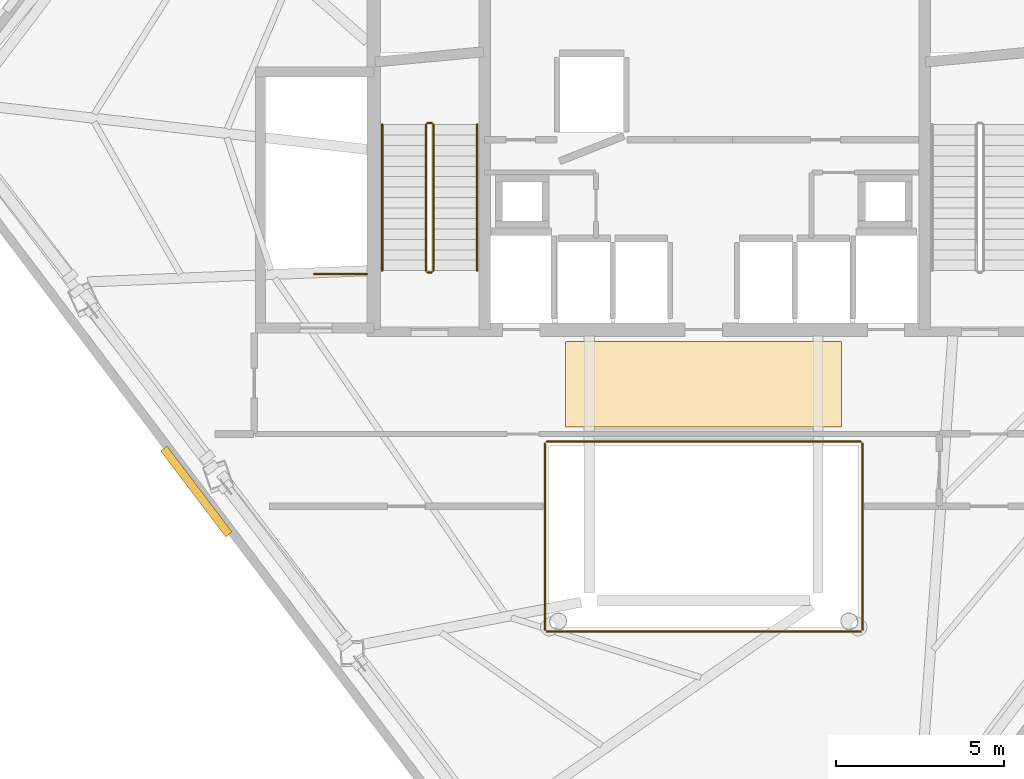
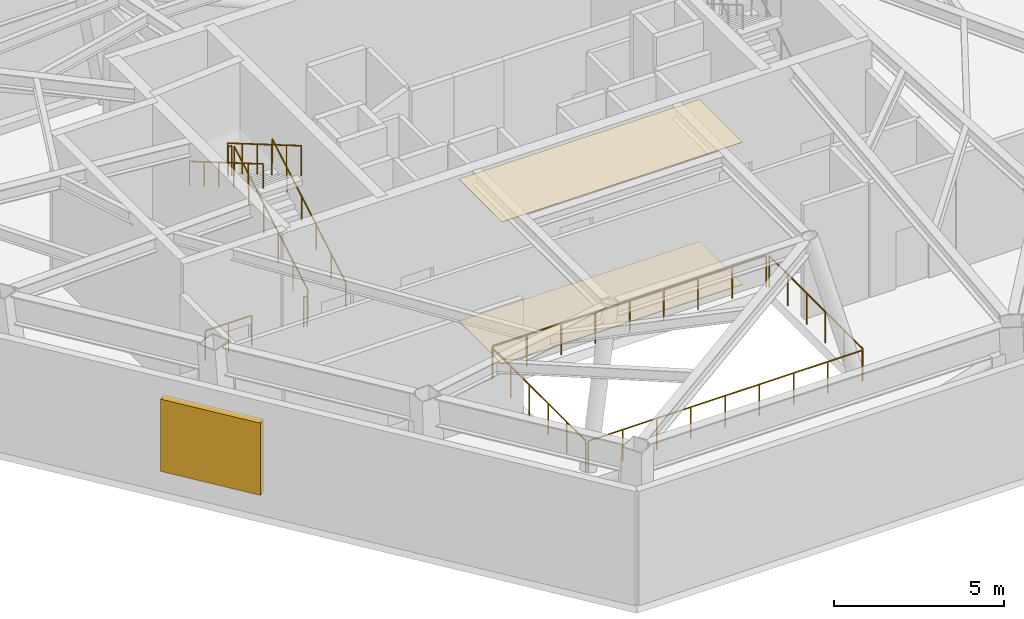
# One storey, part 8 of 10: 11 railings, 2 coverings, 1 shading device.
"""IFC4 building model written with IfcOpenShell, lengths in metres."""

from ifc_helpers import new_model, si_unit, direction, frame, origin, origin_2d, place, context, subcontext, project, spatial, polyline, rectangle, circle, outline, extrude, material, layer, layer_set, type_object, element, save


model = new_model("IFC4")

# Units and contexts
model_context = context("Model", 3, precision=1e-05, world=origin(), true_north=direction((0.0, 1.0)))
body_context = subcontext(model_context, "Body", "Model", "MODEL_VIEW")
ifc_project = project(units=[si_unit("LENGTHUNIT", "METRE"), si_unit("AREAUNIT", "SQUARE_METRE"), si_unit("VOLUMEUNIT", "CUBIC_METRE"), si_unit("PLANEANGLEUNIT", "RADIAN"), si_unit("MASSUNIT", "GRAM", prefix="KILO")], contexts=[model_context])

# Site, building, storey
site_placement = place(None, origin())
site = spatial("IfcSite", under=ifc_project, at=site_placement, CompositionType="ELEMENT")
building_placement = place(site_placement, origin())
building = spatial("IfcBuilding", under=site, at=building_placement, Name="Zarrinselat Tower", CompositionType="ELEMENT")
storey_placement = place(building_placement, frame((0.0, 0.0, 194.47998046875)))
storey = spatial("IfcBuildingStorey", under=building, at=storey_placement, Name="L48", CompositionType="ELEMENT", Elevation=194.47998046875)

# Coverings
ifc_material_1 = material(Name="Fire-Rated Gypsum Board Partition")
ifc_layer_1 = layer(ifc_material_1, 0.014892578125)
ifc_layer_set_1 = layer_set([ifc_layer_1], Name="Fire-Rated Gypsum Board Partition")
covering_type_1 = type_object("IfcCoveringType", Name="COV-CLG-AC15", PredefinedType="CEILING", material=ifc_layer_set_1)
covering_1_placement = place(storey_placement, frame((0.0, 0.0, 5.125)))
element("IfcCovering", 1, at=covering_1_placement, inside=storey, type_object=covering_type_1, Name="L48 Lift Lobby Acoustic Ceiling", PredefinedType="CEILING", context=body_context, shape_type="SweptSolid", body=[
    extrude(outline(polyline([(34.300048828125, 30.35009765625), (42.5, 30.35009765625), (42.5, 32.89990234375), (34.300048828125, 32.89990234375), (34.300048828125, 30.35009765625)])), origin(), (0.0, 0.0, 1.0), 0.01513671875),
])
ifc_material_2 = material(Name="Honed Cream Travertine Stone", Category="masonry")
ifc_layer_2 = layer(ifc_material_2, 0.02490234375)
ifc_layer_set_2 = layer_set([ifc_layer_2], Name="Honed Cream Travertine Stone")
covering_type_2 = type_object("IfcCoveringType", Name="COV-FLR-ST25", PredefinedType="FLOORING", material=ifc_layer_set_2)
covering_2_placement = place(storey_placement, origin())
element("IfcCovering", 2, at=covering_2_placement, inside=storey, type_object=covering_type_2, Name="L48 Lift Lobby Stone Flooring", PredefinedType="FLOORING", context=body_context, shape_type="SweptSolid", body=[
    extrude(outline(polyline([(34.300048828125, 30.35009765625), (42.5, 30.35009765625), (42.5, 32.89990234375), (34.300048828125, 32.89990234375), (34.300048828125, 30.35009765625)])), origin(), (0.0, 0.0, 1.0), 0.02490234375),
])

# Railings
ifc_material_3 = material(Name="Double Low-E Laminated Solar Glass", Category="glass")
railing_type_1 = type_object("IfcRailingType", Name="RLG-ATRIUM-BAL", PredefinedType="BALUSTRADE", material=ifc_material_3)
railing_1_placement = place(storey_placement, frame((33.739990234375, 24.280029296875, 0.0)))
element("IfcRailing", 3, at=railing_1_placement, inside=storey, type_object=railing_type_1, Name="L48 Atrium Void Glass Balustrade S", PredefinedType="BALUSTRADE", context=body_context, shape_type="SweptSolid", body=[
    extrude(circle(Radius=0.02392578125, at=origin_2d()), frame((0.0, 0.0, 1.1259765625), z_axis=(1.0, 0.0, 0.0), x_axis=(0.0, 1.0, 0.0)), (0.0, 0.0, 1.0), 9.320068359375),
    extrude(circle(Radius=0.02099609375, at=origin_2d()), origin(), (0.0, 0.0, 1.0), 1.099853515625),
    extrude(circle(Radius=0.02099609375, at=origin_2d()), frame((1.1650390625, 0.0, 0.0)), (0.0, 0.0, 1.0), 1.099853515625),
    extrude(circle(Radius=0.02099609375, at=origin_2d()), frame((2.330078125, 0.0, 0.0)), (0.0, 0.0, 1.0), 1.099853515625),
    extrude(circle(Radius=0.02099609375, at=origin_2d()), frame((3.4951171875, 0.0, 0.0)), (0.0, 0.0, 1.0), 1.099853515625),
    extrude(circle(Radius=0.02099609375, at=origin_2d()), frame((4.66015625, 0.0, 0.0)), (0.0, 0.0, 1.0), 1.099853515625),
    extrude(circle(Radius=0.02099609375, at=origin_2d()), frame((5.824951171875, 0.0, 0.0)), (0.0, 0.0, 1.0), 1.099853515625),
    extrude(circle(Radius=0.02099609375, at=origin_2d()), frame((6.989990234375, 0.0, 0.0)), (0.0, 0.0, 1.0), 1.099853515625),
    extrude(circle(Radius=0.02099609375, at=origin_2d()), frame((8.155029296875, 0.0, 0.0)), (0.0, 0.0, 1.0), 1.099853515625),
    extrude(circle(Radius=0.02099609375, at=origin_2d()), frame((9.320068359375, 0.0, 0.0)), (0.0, 0.0, 1.0), 1.099853515625),
])
railing_2_placement = place(storey_placement, frame((43.1201171875, 24.340087890625, 0.0)))
element("IfcRailing", 4, at=railing_2_placement, inside=storey, type_object=railing_type_1, Name="L48 Atrium Void Glass Balustrade E", PredefinedType="BALUSTRADE", context=body_context, shape_type="SweptSolid", body=[
    extrude(circle(Radius=0.02392578125, at=origin_2d()), frame((0.0, 0.0, 1.1259765625), z_axis=(0.0, 1.0, 0.0), x_axis=(-1.0, 0.0, 0.0)), (0.0, 0.0, 1.0), 5.52001953125),
    extrude(circle(Radius=0.02099609375, at=origin_2d()), origin(), (0.0, 0.0, 1.0), 1.099853515625),
    extrude(circle(Radius=0.02099609375, at=origin_2d()), frame((0.0, 1.10400390625, 0.0)), (0.0, 0.0, 1.0), 1.099853515625),
    extrude(circle(Radius=0.02099609375, at=origin_2d()), frame((0.0, 2.2080078125, 0.0)), (0.0, 0.0, 1.0), 1.099853515625),
    extrude(circle(Radius=0.02099609375, at=origin_2d()), frame((0.0, 3.31201171875, 0.0)), (0.0, 0.0, 1.0), 1.099853515625),
    extrude(circle(Radius=0.02099609375, at=origin_2d()), frame((0.0, 4.416015625, 0.0)), (0.0, 0.0, 1.0), 1.099853515625),
    extrude(circle(Radius=0.02099609375, at=origin_2d()), frame((0.0, 5.52001953125, 0.0)), (0.0, 0.0, 1.0), 1.099853515625),
])
railing_3_placement = place(storey_placement, frame((43.06005859375, 29.919921875, 0.0)))
element("IfcRailing", 5, at=railing_3_placement, inside=storey, type_object=railing_type_1, Name="L48 Atrium Void Glass Balustrade N", PredefinedType="BALUSTRADE", context=body_context, shape_type="SweptSolid", body=[
    extrude(circle(Radius=0.02392578125, at=origin_2d()), frame((0.0, 0.0, 1.1259765625), z_axis=(-1.0, 0.0, 0.0), x_axis=(0.0, -1.0, 0.0)), (0.0, 0.0, 1.0), 9.320068359375),
    extrude(circle(Radius=0.02099609375, at=origin_2d()), origin(), (0.0, 0.0, 1.0), 1.099853515625),
    extrude(circle(Radius=0.02099609375, at=origin_2d()), frame((-1.1650390625, 0.0, 0.0)), (0.0, 0.0, 1.0), 1.099853515625),
    extrude(circle(Radius=0.02099609375, at=origin_2d()), frame((-2.330078125, 0.0, 0.0)), (0.0, 0.0, 1.0), 1.099853515625),
    extrude(circle(Radius=0.02099609375, at=origin_2d()), frame((-3.4951171875, 0.0, 0.0)), (0.0, 0.0, 1.0), 1.099853515625),
    extrude(circle(Radius=0.02099609375, at=origin_2d()), frame((-4.66015625, 0.0, 0.0)), (0.0, 0.0, 1.0), 1.099853515625),
    extrude(circle(Radius=0.02099609375, at=origin_2d()), frame((-5.824951171875, 0.0, 0.0)), (0.0, 0.0, 1.0), 1.099853515625),
    extrude(circle(Radius=0.02099609375, at=origin_2d()), frame((-6.989990234375, 0.0, 0.0)), (0.0, 0.0, 1.0), 1.099853515625),
    extrude(circle(Radius=0.02099609375, at=origin_2d()), frame((-8.155029296875, 0.0, 0.0)), (0.0, 0.0, 1.0), 1.099853515625),
    extrude(circle(Radius=0.02099609375, at=origin_2d()), frame((-9.320068359375, 0.0, 0.0)), (0.0, 0.0, 1.0), 1.099853515625),
])
railing_4_placement = place(storey_placement, frame((33.679931640625, 29.860107421875, 0.0)))
element("IfcRailing", 6, at=railing_4_placement, inside=storey, type_object=railing_type_1, Name="L48 Atrium Void Glass Balustrade W", PredefinedType="BALUSTRADE", context=body_context, shape_type="SweptSolid", body=[
    extrude(circle(Radius=0.02392578125, at=origin_2d()), frame((0.0, 0.0, 1.1259765625), z_axis=(0.0, -1.0, 0.0), x_axis=(1.0, 0.0, 0.0)), (0.0, 0.0, 1.0), 5.52001953125),
    extrude(circle(Radius=0.02099609375, at=origin_2d()), origin(), (0.0, 0.0, 1.0), 1.099853515625),
    extrude(circle(Radius=0.02099609375, at=origin_2d()), frame((0.0, -1.10400390625, 0.0)), (0.0, 0.0, 1.0), 1.099853515625),
    extrude(circle(Radius=0.02099609375, at=origin_2d()), frame((0.0, -2.2080078125, 0.0)), (0.0, 0.0, 1.0), 1.099853515625),
    extrude(circle(Radius=0.02099609375, at=origin_2d()), frame((0.0, -3.31201171875, 0.0)), (0.0, 0.0, 1.0), 1.099853515625),
    extrude(circle(Radius=0.02099609375, at=origin_2d()), frame((0.0, -4.416015625, 0.0)), (0.0, 0.0, 1.0), 1.099853515625),
    extrude(circle(Radius=0.02099609375, at=origin_2d()), frame((0.0, -5.52001953125, 0.0)), (0.0, 0.0, 1.0), 1.099853515625),
])
ifc_material_4 = material(Name="Steel S355J2", Category="steel")
railing_type_2 = type_object("IfcRailingType", Name="RLG-STAIR-GUARD", PredefinedType="GUARDRAIL", material=ifc_material_4)
railing_5_placement = place(storey_placement, frame((30.3701171875, 35.0, 0.181396484375)))
element("IfcRailing", 7, at=railing_5_placement, inside=storey, type_object=railing_type_2, Name="L48 ST-1 stair guard 1", PredefinedType="GUARDRAIL", context=body_context, shape_type="SweptSolid", body=[
    extrude(circle(Radius=0.02392578125, at=origin_2d()), frame((0.0, 0.0, 1.076171875), z_axis=(0.0, 0.863184808233, 0.504888093379), x_axis=(-1.0, 0.0, 0.0)), (0.0, 0.0, 1.0), 5.028076171875),
    extrude(circle(Radius=0.02099609375, at=origin_2d()), origin(), (0.0, 0.0, 1.0), 1.050048828125),
    extrude(circle(Radius=0.02099609375, at=origin_2d()), frame((0.0, 0.867919921875, 0.5078125)), (0.0, 0.0, 1.0), 1.050048828125),
    extrude(circle(Radius=0.02099609375, at=origin_2d()), frame((0.0, 1.736083984375, 1.015380859375)), (0.0, 0.0, 1.0), 1.050048828125),
    extrude(circle(Radius=0.02099609375, at=origin_2d()), frame((0.0, 2.60400390625, 1.523193359375)), (0.0, 0.0, 1.0), 1.050048828125),
    extrude(circle(Radius=0.02099609375, at=origin_2d()), frame((0.0, 3.47216796875, 2.03076171875)), (0.0, 0.0, 1.0), 1.050048828125),
    extrude(circle(Radius=0.02099609375, at=origin_2d()), frame((0.0, 4.340087890625, 2.53857421875)), (0.0, 0.0, 1.0), 1.050048828125),
])
railing_6_placement = place(storey_placement, frame((30.320068359375, 39.389892578125, 2.719970703125)))
element("IfcRailing", 8, at=railing_6_placement, inside=storey, type_object=railing_type_2, Name="L48 ST-1 stair guard 2", PredefinedType="GUARDRAIL", context=body_context, shape_type="SweptSolid", body=[
    extrude(circle(Radius=0.02392578125, at=origin_2d()), frame((0.0, 0.0, 1.076171875), z_axis=(-1.0, 0.0, 0.0), x_axis=(0.0, -1.0, 0.0)), (0.0, 0.0, 1.0), 0.1201171875),
    extrude(circle(Radius=0.02099609375, at=origin_2d()), origin(), (0.0, 0.0, 1.0), 1.050048828125),
    extrude(circle(Radius=0.02099609375, at=origin_2d()), frame((-0.1201171875, 0.0, 0.0)), (0.0, 0.0, 1.0), 1.050048828125),
])
railing_7_placement = place(storey_placement, frame((30.14990234375, 39.340087890625, 2.9013671875)))
element("IfcRailing", 9, at=railing_7_placement, inside=storey, type_object=railing_type_2, Name="L48 ST-1 stair guard 3", PredefinedType="GUARDRAIL", context=body_context, shape_type="SweptSolid", body=[
    extrude(circle(Radius=0.02392578125, at=origin_2d()), frame((0.0, 0.0, 1.076171875), z_axis=(0.0, -0.863184808233, 0.504888093379), x_axis=(1.0, 0.0, 0.0)), (0.0, 0.0, 1.0), 5.028076171875),
    extrude(circle(Radius=0.02099609375, at=origin_2d()), origin(), (0.0, 0.0, 1.0), 1.050048828125),
    extrude(circle(Radius=0.02099609375, at=origin_2d()), frame((0.0, -0.867919921875, 0.5078125)), (0.0, 0.0, 1.0), 1.050048828125),
    extrude(circle(Radius=0.02099609375, at=origin_2d()), frame((0.0, -1.736083984375, 1.015380859375)), (0.0, 0.0, 1.0), 1.050048828125),
    extrude(circle(Radius=0.02099609375, at=origin_2d()), frame((0.0, -2.60400390625, 1.523193359375)), (0.0, 0.0, 1.0), 1.050048828125),
    extrude(circle(Radius=0.02099609375, at=origin_2d()), frame((0.0, -3.47216796875, 2.03076171875)), (0.0, 0.0, 1.0), 1.050048828125),
    extrude(circle(Radius=0.02099609375, at=origin_2d()), frame((0.0, -4.340087890625, 2.53857421875)), (0.0, 0.0, 1.0), 1.050048828125),
])
railing_8_placement = place(storey_placement, frame((30.320068359375, 34.949951171875, 0.0)))
element("IfcRailing", 10, at=railing_8_placement, inside=storey, type_object=railing_type_2, Name="L48 ST-1 stair guard 4", PredefinedType="GUARDRAIL", context=body_context, shape_type="SweptSolid", body=[
    extrude(circle(Radius=0.02392578125, at=origin_2d()), frame((0.0, 0.0, 1.076171875), z_axis=(-1.0, 0.0, 0.0), x_axis=(0.0, -1.0, 0.0)), (0.0, 0.0, 1.0), 0.1201171875),
    extrude(circle(Radius=0.02099609375, at=origin_2d()), origin(), (0.0, 0.0, 1.0), 1.050048828125),
    extrude(circle(Radius=0.02099609375, at=origin_2d()), frame((-0.1201171875, 0.0, 0.0)), (0.0, 0.0, 1.0), 1.050048828125),
])
railing_9_placement = place(storey_placement, frame((28.39990234375, 34.89990234375, 0.0)))
element("IfcRailing", 11, at=railing_9_placement, inside=storey, type_object=railing_type_2, Name="L48 ST-3 top well guard 1", PredefinedType="GUARDRAIL", context=body_context, shape_type="SweptSolid", body=[
    extrude(circle(Radius=0.02392578125, at=origin_2d()), frame((0.0, 0.0, 1.076171875), z_axis=(-1.0, 0.0, 0.0), x_axis=(0.0, -1.0, 0.0)), (0.0, 0.0, 1.0), 1.56982421875),
    extrude(circle(Radius=0.02099609375, at=origin_2d()), origin(), (0.0, 0.0, 1.0), 1.050048828125),
    extrude(circle(Radius=0.02099609375, at=origin_2d()), frame((-0.784912109375, 0.0, 0.0)), (0.0, 0.0, 1.0), 1.050048828125),
    extrude(circle(Radius=0.02099609375, at=origin_2d()), frame((-1.56982421875, 0.0, 0.0)), (0.0, 0.0, 1.0), 1.050048828125),
])
ifc_material_5 = material(Name="Steel S355J2", Category="steel")
railing_type_3 = type_object("IfcRailingType", Name="RLG-STAIR-HAND", PredefinedType="HANDRAIL", material=ifc_material_5)
railing_10_placement = place(storey_placement, frame((31.669921875, 35.0, 0.181396484375)))
element("IfcRailing", 12, at=railing_10_placement, inside=storey, type_object=railing_type_3, Name="L48 ST-1 stair handrail 1", PredefinedType="HANDRAIL", context=body_context, shape_type="SweptSolid", body=[
    extrude(circle(Radius=0.02392578125, at=origin_2d()), frame((0.0, 0.0, 0.8759765625), z_axis=(0.0, 0.863184808233, 0.504888093379), x_axis=(-1.0, 0.0, 0.0)), (0.0, 0.0, 1.0), 5.028076171875),
    extrude(circle(Radius=0.02099609375, at=origin_2d()), origin(), (0.0, 0.0, 1.0), 0.849853515625),
    extrude(circle(Radius=0.02099609375, at=origin_2d()), frame((0.0, 0.867919921875, 0.5078125)), (0.0, 0.0, 1.0), 0.849853515625),
    extrude(circle(Radius=0.02099609375, at=origin_2d()), frame((0.0, 1.736083984375, 1.015380859375)), (0.0, 0.0, 1.0), 0.849853515625),
    extrude(circle(Radius=0.02099609375, at=origin_2d()), frame((0.0, 2.60400390625, 1.523193359375)), (0.0, 0.0, 1.0), 0.849853515625),
    extrude(circle(Radius=0.02099609375, at=origin_2d()), frame((0.0, 3.47216796875, 2.03076171875)), (0.0, 0.0, 1.0), 0.849853515625),
    extrude(circle(Radius=0.02099609375, at=origin_2d()), frame((0.0, 4.340087890625, 2.53857421875)), (0.0, 0.0, 1.0), 0.849853515625),
])
railing_11_placement = place(storey_placement, frame((28.85009765625, 39.340087890625, 2.9013671875)))
element("IfcRailing", 13, at=railing_11_placement, inside=storey, type_object=railing_type_3, Name="L48 ST-1 stair handrail 2", PredefinedType="HANDRAIL", context=body_context, shape_type="SweptSolid", body=[
    extrude(circle(Radius=0.02392578125, at=origin_2d()), frame((0.0, 0.0, 0.8759765625), z_axis=(0.0, -0.863184808233, 0.504888093379), x_axis=(1.0, 0.0, 0.0)), (0.0, 0.0, 1.0), 5.028076171875),
    extrude(circle(Radius=0.02099609375, at=origin_2d()), origin(), (0.0, 0.0, 1.0), 0.849853515625),
    extrude(circle(Radius=0.02099609375, at=origin_2d()), frame((0.0, -0.867919921875, 0.5078125)), (0.0, 0.0, 1.0), 0.849853515625),
    extrude(circle(Radius=0.02099609375, at=origin_2d()), frame((0.0, -1.736083984375, 1.015380859375)), (0.0, 0.0, 1.0), 0.849853515625),
    extrude(circle(Radius=0.02099609375, at=origin_2d()), frame((0.0, -2.60400390625, 1.523193359375)), (0.0, 0.0, 1.0), 0.849853515625),
    extrude(circle(Radius=0.02099609375, at=origin_2d()), frame((0.0, -3.47216796875, 2.03076171875)), (0.0, 0.0, 1.0), 0.849853515625),
    extrude(circle(Radius=0.02099609375, at=origin_2d()), frame((0.0, -4.340087890625, 2.53857421875)), (0.0, 0.0, 1.0), 0.849853515625),
])

# Shading device
ifc_material_6 = material(Name="Extruded Aluminium Alloy EN AW-6063 T6", Category="aluminium")
shading_device_type = type_object("IfcShadingDeviceType", Name="SHD-PLANT-LOUVRE", PredefinedType="JALOUSIE", material=ifc_material_6)
shading_device_placement = place(storey_placement, frame((23.328369140625, 28.4404296875, 0.800048828125), z_axis=(0.0, 0.0, 1.0), x_axis=(0.603857830133, -0.797092040474, 0.0)))
element("IfcShadingDevice", 14, at=shading_device_placement, inside=storey, type_object=shading_device_type, Name="L48 Acoustic Plant Intake Louvre 3", PredefinedType="JALOUSIE", context=body_context, shape_type="SweptSolid", body=[
    extrude(rectangle(XDim=3.199951171875, YDim=0.239990234375, at=origin_2d()), origin(), (0.0, 0.0, 1.0), 2.60009765625),
])

save(model, "model.ifc")
